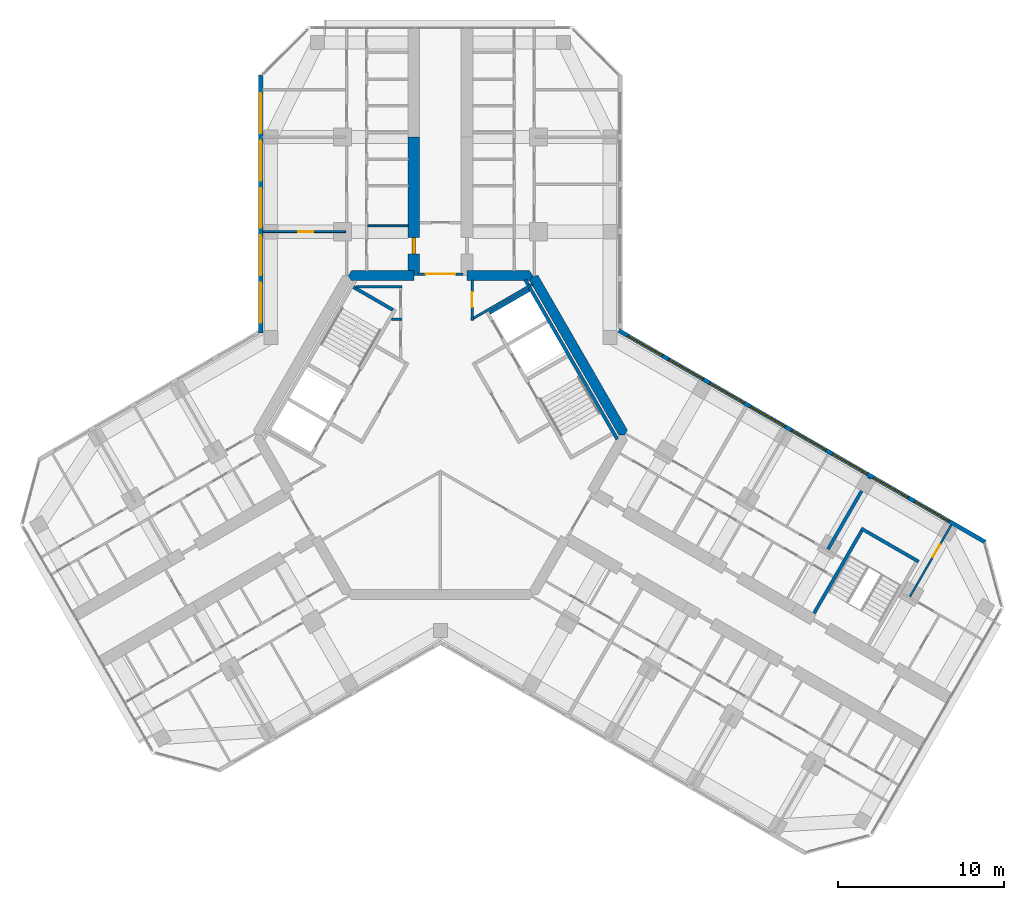
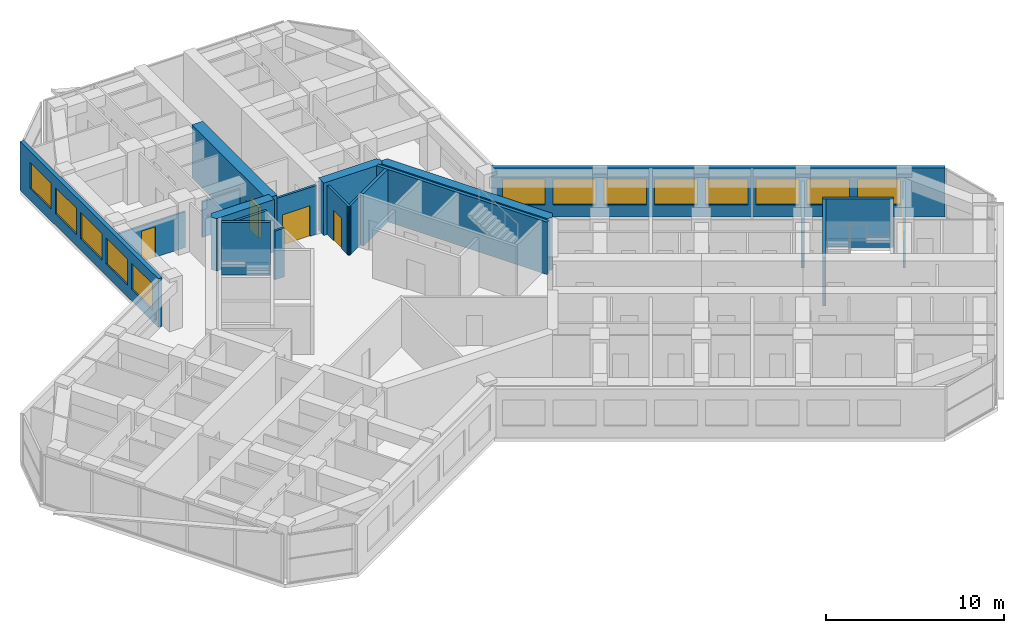
# One storey, part 13 of 16: 20 walls, 13 windows, 5 doors, 18 openings.
"""IFC4 building model written with IfcOpenShell, lengths in metres."""

from ifc_helpers import new_model, si_unit, direction, frame, frame_2d, origin, place, context, subcontext, project, spatial, polyline, rectangle, outline, extrude, material, layer, layer_set, type_object, element, fill, save


model = new_model("IFC4")

# Units and contexts
model_context = context("Model", 3, precision=1e-05, world=origin(), true_north=direction((0.0, 1.0)))
body_context = subcontext(model_context, "Body", "Model", "MODEL_VIEW")
ifc_project = project(units=[si_unit("LENGTHUNIT", "METRE"), si_unit("AREAUNIT", "SQUARE_METRE"), si_unit("VOLUMEUNIT", "CUBIC_METRE"), si_unit("PLANEANGLEUNIT", "RADIAN"), si_unit("MASSUNIT", "GRAM", prefix="KILO")], contexts=[model_context])

# Site, building, storey
site_placement = place(None, origin())
site = spatial("IfcSite", under=ifc_project, at=site_placement, CompositionType="ELEMENT")
building_placement = place(site_placement, origin())
building = spatial("IfcBuilding", under=site, at=building_placement, Name="Kosmar Iwan School Tower", CompositionType="ELEMENT")
storey_placement = place(building_placement, frame((0.0, 0.0, 253.199951171875)))
storey = spatial("IfcBuildingStorey", under=building, at=storey_placement, Name="L64", CompositionType="ELEMENT", Elevation=253.199951171875)

# Walls
ifc_material_1 = material(Name="Gypsum board on steel studs, fire-rated", Category="steel")
ifc_layer_1 = layer(ifc_material_1, 0.14990234375)
ifc_layer_set_1 = layer_set([ifc_layer_1], Name="Core room partition 150")
wall_type_1 = type_object("IfcWallType", Name="Core room partition 150", PredefinedType="PARTITIONING", material=ifc_layer_set_1)
wall_1_placement = place(storey_placement, frame((-2.324951171875, 6.985107421875, 0.0), z_axis=(0.0, 0.0, 1.0), x_axis=(-1.0, 0.0, 0.0)))
element("IfcWall", 1, at=wall_1_placement, inside=storey, type_object=wall_type_1, Name="Core room partition L64-CW2", PredefinedType="PARTITIONING", context=body_context, shape_type="SweptSolid", body=[
    extrude(rectangle(XDim=0.623779296875, YDim=0.14990234375, at=frame_2d((0.31201171875, 0.0))), origin(), (0.0, 0.0, 1.0), 3.35009765625),
])
wall_2_placement = place(storey_placement, frame((-5.089599609375, 8.93994140625, 0.0), z_axis=(0.0, 0.0, 1.0), x_axis=(1.0, 0.0, 0.0)))
element("IfcWall", 2, at=wall_2_placement, inside=storey, type_object=wall_type_1, Name="Core room partition L64-CW3", PredefinedType="PARTITIONING", context=body_context, shape_type="SweptSolid", body=[
    extrude(rectangle(XDim=2.7646484375, YDim=0.14990234375, at=frame_2d((1.38232421875, 0.0))), origin(), (0.0, 0.0, 1.0), 3.35009765625),
])
wall_3_placement = place(storey_placement, frame((5.54296875, 9.089111328125, 0.0), z_axis=(0.0, 0.0, 1.0), x_axis=(-0.866045054481, -0.49996596245, 0.0)))
element("IfcWall", 3, at=wall_3_placement, inside=storey, type_object=wall_type_1, Name="Core room partition L64-CW8", PredefinedType="PARTITIONING", context=body_context, shape_type="SweptSolid", body=[
    extrude(rectangle(XDim=4.281494140625, YDim=0.14990234375, at=frame_2d((2.140625, 0.0))), origin(), (0.0, 0.0, 1.0), 3.35009765625),
])

# Wall, opening, door
wall_4_placement = place(storey_placement, frame((1.89990234375, 6.910888671875, 0.0), z_axis=(0.0, 0.0, 1.0), x_axis=(0.0, 1.0, 0.0)))
wall_4 = element("IfcWall", 4, at=wall_4_placement, inside=storey, type_object=wall_type_1, Name="Core room partition L64-CW9", PredefinedType="PARTITIONING", context=body_context, shape_type="SweptSolid", body=[
    extrude(rectangle(XDim=2.43408203125, YDim=0.14990234375, at=frame_2d((1.217041015625, 0.0))), origin(), (0.0, 0.0, 1.0), 3.35009765625),
])
opening_1_placement = place(wall_4_placement, frame((0.802001953125, 0.0, 0.0)))
opening_1 = element("IfcOpeningElement", 5, at=opening_1_placement, cuts=wall_4, Name="Opening D14", PredefinedType="OPENING", context=body_context, shape_type="SweptSolid", body=[
    extrude(rectangle(XDim=0.89990234375, YDim=2.10009765625, at=frame_2d((0.449951171875, 1.050048828125))), frame((0.0, 0.0869140625, 0.0), z_axis=(0.0, -1.0, 0.0), x_axis=(1.0, 0.0, 0.0)), (0.0, 0.0, 1.0), 0.173828125),
])
ifc_material_2 = material(Name="Timber fire door in steel frame", Category="steel")
door_type_1 = type_object("IfcDoorType", Name="Core room door 900x2100", OperationType="SINGLE_SWING_LEFT", PredefinedType="DOOR", material=ifc_material_2)
door_1_placement = place(opening_1_placement, origin())
door_1 = element("IfcDoor", 6, at=door_1_placement, inside=storey, type_object=door_type_1, Name="Water meter room door L64 5", OperationType="SINGLE_SWING_RIGHT", OverallHeight=2.10009765625, OverallWidth=0.89990234375, PredefinedType="DOOR", context=body_context, shape_type="SweptSolid", body=[
    extrude(rectangle(XDim=0.89990234375, YDim=2.10009765625, at=frame_2d((0.449951171875, 1.050048828125))), frame((0.0, 0.02490234375, 0.0), z_axis=(0.0, -1.0, 0.0), x_axis=(1.0, 0.0, 0.0)), (0.0, 0.0, 1.0), 0.050048828125),
])
fill(opening_1, door_1)

# Walls
ifc_material_3 = material(Name="Concrete C50/60", Category="concrete")
ifc_layer_2 = layer(ifc_material_3, 0.60009765625)
ifc_layer_set_2 = layer_set([ifc_layer_2], Name="Core wall 600")
wall_type_2 = type_object("IfcWallType", Name="Core wall 600", PredefinedType="SHEAR", material=ifc_layer_set_2)
wall_5_placement = place(storey_placement, origin())
element("IfcWall", 7, at=wall_5_placement, inside=storey, type_object=wall_type_2, Name="Core wall F030", PredefinedType="SHEAR", context=body_context, shape_type="SweptSolid", body=[
    extrude(outline(polyline([(10.73876953125, 0.0), (11.085205078125, 0.0), (11.25830078125, 0.300048828125), (5.888916015625, 9.60009765625), (5.54248046875, 9.60009765625), (5.369384765625, 9.300048828125), (10.73876953125, 0.0)])), origin(), (0.0, 0.0, 1.0), 3.60009765625),
])
wall_6_placement = place(storey_placement, origin())
element("IfcWall", 8, at=wall_6_placement, inside=storey, type_object=wall_type_2, Name="Core wall F090a", PredefinedType="SHEAR", context=body_context, shape_type="SweptSolid", body=[
    extrude(outline(polyline([(1.60009765625, 9.300048828125), (5.369384765625, 9.300048828125), (5.54248046875, 9.60009765625), (5.369384765625, 9.89990234375), (1.60009765625, 9.89990234375), (1.60009765625, 9.300048828125)])), origin(), (0.0, 0.0, 1.0), 3.60009765625),
])
wall_7_placement = place(storey_placement, origin())
element("IfcWall", 9, at=wall_7_placement, inside=storey, type_object=wall_type_2, Name="Core wall F090b", PredefinedType="SHEAR", context=body_context, shape_type="SweptSolid", body=[
    extrude(outline(polyline([(-5.369384765625, 9.300048828125), (-1.60009765625, 9.300048828125), (-1.60009765625, 9.89990234375), (-5.369384765625, 9.89990234375), (-5.54248046875, 9.60009765625), (-5.369384765625, 9.300048828125)])), origin(), (0.0, 0.0, 1.0), 3.60009765625),
])

# Wall, opening, door
ifc_material_4 = material(Name="Concrete C50/60", Category="concrete")
ifc_layer_3 = layer(ifc_material_4, 0.699951171875)
ifc_layer_set_3 = layer_set([ifc_layer_3], Name="Corridor buttress wall 700")
wall_type_3 = type_object("IfcWallType", Name="Corridor buttress wall 700", PredefinedType="SHEAR", material=ifc_layer_set_3)
wall_8_placement = place(storey_placement, frame((-1.60009765625, 9.60009765625, 0.0), z_axis=(0.0, 0.0, 1.0), x_axis=(0.0, 1.0, 0.0)))
wall_8 = element("IfcWall", 10, at=wall_8_placement, inside=storey, type_object=wall_type_3, Name="Corridor wall AL", PredefinedType="SHEAR", context=body_context, shape_type="SweptSolid", body=[
    extrude(rectangle(XDim=8.349853515625, YDim=0.699951171875, at=frame_2d((4.1748046875, 0.0))), origin(), (0.0, 0.0, 1.0), 3.60009765625),
])
opening_2_placement = place(wall_8_placement, frame((1.300048828125, 0.0, 0.0)))
opening_2 = element("IfcOpeningElement", 11, at=opening_2_placement, cuts=wall_8, Name="Opening D1", PredefinedType="OPENING", context=body_context, shape_type="SweptSolid", body=[
    extrude(rectangle(XDim=1.0, YDim=2.10009765625, at=frame_2d((0.5, 1.050048828125))), frame((0.0, 0.362060546875, 0.0), z_axis=(0.0, -1.0, 0.0), x_axis=(1.0, 0.0, 0.0)), (0.0, 0.0, 1.0), 0.723876953125),
])
ifc_material_5 = material(Name="Timber fire door in steel frame", Category="steel")
door_type_2 = type_object("IfcDoorType", Name="Flat entrance door 1000x2100", OperationType="SINGLE_SWING_LEFT", PredefinedType="DOOR", material=ifc_material_5)
door_2_placement = place(opening_2_placement, origin())
door_2 = element("IfcDoor", 12, at=door_2_placement, inside=storey, type_object=door_type_2, Name="Flat L64-AL1 entrance door", OperationType="SINGLE_SWING_RIGHT", OverallHeight=2.10009765625, OverallWidth=1.0, PredefinedType="DOOR", context=body_context, shape_type="SweptSolid", body=[
    extrude(rectangle(XDim=1.0, YDim=2.10009765625, at=frame_2d((0.5, 1.050048828125))), frame((0.0, 0.10009765625, 0.0), z_axis=(0.0, -1.0, 0.0), x_axis=(1.0, 0.0, 0.0)), (0.0, 0.0, 1.0), 0.199951171875),
])
fill(opening_2, door_2)

ifc_material_6 = material(Name="Steel framed glazed screen", Category="steel")
ifc_layer_4 = layer(ifc_material_6, 0.14990234375)
ifc_layer_set_4 = layer_set([ifc_layer_4], Name="Corridor screen wall 150")
wall_type_4 = type_object("IfcWallType", Name="Corridor screen wall 150", PredefinedType="PARTITIONING", material=ifc_layer_set_4)
wall_9_placement = place(storey_placement, frame((1.35009765625, 9.699951171875, 0.0), z_axis=(0.0, 0.0, 1.0), x_axis=(-1.0, 0.0, 0.0)))
wall_9 = element("IfcWall", 13, at=wall_9_placement, inside=storey, type_object=wall_type_4, Name="Corridor screen A L64", PredefinedType="PARTITIONING", context=body_context, shape_type="SweptSolid", body=[
    extrude(rectangle(XDim=2.7001953125, YDim=0.14990234375, at=frame_2d((1.35009765625, 0.0))), origin(), (0.0, 0.0, 1.0), 3.35009765625),
])
opening_3_placement = place(wall_9_placement, frame((0.449951171875, 0.0, 0.0)))
opening_3 = element("IfcOpeningElement", 14, at=opening_3_placement, cuts=wall_9, Name="Opening D9", PredefinedType="OPENING", context=body_context, shape_type="SweptSolid", body=[
    extrude(rectangle(XDim=1.800048828125, YDim=2.10009765625, at=frame_2d((0.89990234375, 1.050048828125))), frame((0.0, 0.0869140625, 0.0), z_axis=(0.0, -1.0, 0.0), x_axis=(1.0, 0.0, 0.0)), (0.0, 0.0, 1.0), 0.173828125),
])
ifc_material_7 = material(Name="Steel framed glazed smoke door", Category="steel")
door_type_3 = type_object("IfcDoorType", Name="Corridor smoke door pair 1800x2100", OperationType="DOUBLE_DOOR_DOUBLE_SWING", PredefinedType="DOOR", material=ifc_material_7)
door_3_placement = place(opening_3_placement, origin())
door_3 = element("IfcDoor", 15, at=door_3_placement, inside=storey, type_object=door_type_3, Name="Corridor doors A L64", OperationType="DOUBLE_DOOR_DOUBLE_SWING", OverallHeight=2.10009765625, OverallWidth=1.800048828125, PredefinedType="DOOR", context=body_context, shape_type="SweptSolid", body=[
    extrude(rectangle(XDim=1.800048828125, YDim=2.10009765625, at=frame_2d((0.89990234375, 1.050048828125))), frame((0.0, 0.02490234375, 0.0), z_axis=(0.0, -1.0, 0.0), x_axis=(1.0, 0.0, 0.0)), (0.0, 0.0, 1.0), 0.050048828125),
])
fill(opening_3, door_3)

ifc_material_8 = material(Name="Gypsum board on steel studs", Category="steel")
ifc_layer_5 = layer(ifc_material_8, 0.1201171875)
ifc_layer_set_5 = layer_set([ifc_layer_5], Name="Dwelling partition 120")
wall_type_5 = type_object("IfcWallType", Name="Dwelling partition 120", PredefinedType="PARTITIONING", material=ifc_layer_set_5)
wall_10_placement = place(storey_placement, frame((-5.7099609375, 12.25, 0.0), z_axis=(0.0, 0.0, 1.0), x_axis=(-1.0, 0.0, 0.0)))
wall_10 = element("IfcWall", 16, at=wall_10_placement, inside=storey, type_object=wall_type_5, Name="Partition L64-AL1-X1", PredefinedType="PARTITIONING", context=body_context, shape_type="SweptSolid", body=[
    extrude(rectangle(XDim=4.989990234375, YDim=0.1201171875, at=frame_2d((2.4951171875, 0.0))), origin(), (0.0, 0.0, 1.0), 2.449951171875),
])
opening_4_placement = place(wall_10_placement, frame((1.93994140625, 0.0, 0.0)))
opening_4 = element("IfcOpeningElement", 17, at=opening_4_placement, cuts=wall_10, Name="Opening D2", PredefinedType="OPENING", context=body_context, shape_type="SweptSolid", body=[
    extrude(rectangle(XDim=0.89990234375, YDim=2.10009765625, at=frame_2d((0.449951171875, 1.050048828125))), frame((0.0, 0.072021484375, 0.0), z_axis=(0.0, -1.0, 0.0), x_axis=(1.0, 0.0, 0.0)), (0.0, 0.0, 1.0), 0.14404296875),
])
ifc_material_9 = material(Name="Timber door in timber frame", Category="wood")
door_type_4 = type_object("IfcDoorType", Name="Internal door 900x2100", OperationType="SINGLE_SWING_LEFT", PredefinedType="DOOR", material=ifc_material_9)
door_4_placement = place(opening_4_placement, origin())
door_4 = element("IfcDoor", 18, at=door_4_placement, inside=storey, type_object=door_type_4, Name="Kitchen and dining room door L64-AL1-F1", OperationType="SINGLE_SWING_LEFT", OverallHeight=2.10009765625, OverallWidth=0.89990234375, PredefinedType="DOOR", context=body_context, shape_type="SweptSolid", body=[
    extrude(rectangle(XDim=0.89990234375, YDim=2.10009765625, at=frame_2d((0.449951171875, 1.050048828125))), frame((0.0, 0.02490234375, 0.0), z_axis=(0.0, -1.0, 0.0), x_axis=(1.0, 0.0, 0.0)), (0.0, 0.0, 1.0), 0.050048828125),
])
fill(opening_4, door_4)

# Wall
wall_11_placement = place(storey_placement, frame((-1.949951171875, 12.60009765625, 0.0), z_axis=(0.0, 0.0, 1.0), x_axis=(-1.0, 0.0, 0.0)))
element("IfcWall", 19, at=wall_11_placement, inside=storey, type_object=wall_type_5, Name="Partition L64-AL1-Y1", PredefinedType="PARTITIONING", context=body_context, shape_type="SweptSolid", body=[
    extrude(rectangle(XDim=2.43994140625, YDim=0.1201171875, at=frame_2d((1.219970703125, 0.0))), origin(), (0.0, 0.0, 1.0), 2.449951171875),
])

# Wall, opening, door
wall_12_placement = place(storey_placement, frame((28.27294921875, -9.72998046875, 0.0), z_axis=(0.0, 0.0, 1.0), x_axis=(0.499975153383, 0.86603974851, 0.0)))
wall_12 = element("IfcWall", 20, at=wall_12_placement, inside=storey, type_object=wall_type_5, Name="Partition L64-CL3-TX", PredefinedType="PARTITIONING", context=body_context, shape_type="SweptSolid", body=[
    extrude(rectangle(XDim=4.989990234375, YDim=0.1201171875, at=frame_2d((2.4951171875, 0.0))), origin(), (0.0, 0.0, 1.0), 2.449951171875),
])
opening_5_placement = place(wall_12_placement, frame((2.739990234375, 0.0, 0.0)))
opening_5 = element("IfcOpeningElement", 21, at=opening_5_placement, cuts=wall_12, Name="Opening D2", PredefinedType="OPENING", context=body_context, shape_type="SweptSolid", body=[
    extrude(rectangle(XDim=0.89990234375, YDim=2.10009765625, at=frame_2d((0.449951171875, 1.050048828125))), frame((0.0, 0.072021484375, 0.0), z_axis=(0.0, -1.0, 0.0), x_axis=(1.0, 0.0, 0.0)), (0.0, 0.0, 1.0), 0.14404296875),
])
door_5_placement = place(opening_5_placement, origin())
door_5 = element("IfcDoor", 22, at=door_5_placement, inside=storey, type_object=door_type_4, Name="Bedroom 1 door L64-CL3-T1", OperationType="SINGLE_SWING_RIGHT", OverallHeight=2.10009765625, OverallWidth=0.89990234375, PredefinedType="DOOR", context=body_context, shape_type="SweptSolid", body=[
    extrude(rectangle(XDim=0.89990234375, YDim=2.10009765625, at=frame_2d((0.449951171875, 1.050048828125))), frame((0.0, 0.02490234375, 0.0), z_axis=(0.0, -1.0, 0.0), x_axis=(1.0, 0.0, 0.0)), (0.0, 0.0, 1.0), 0.050048828125),
])
fill(opening_5, door_5)

# Walls
ifc_material_10 = material(Name="Concrete C35/45", Category="concrete")
ifc_layer_6 = layer(ifc_material_10, 0.199951171875)
ifc_layer_set_6 = layer_set([ifc_layer_6], Name="Escape stair wall 200")
wall_type_6 = type_object("IfcWallType", Name="Escape stair wall 200", PredefinedType="SHEAR", material=ifc_layer_set_6)
wall_13_placement = place(storey_placement, frame((22.49560546875, -10.736328125, 0.0), z_axis=(0.0, 0.0, 1.0), x_axis=(0.500013701029, 0.866017493347, 0.0)))
element("IfcWall", 23, at=wall_13_placement, inside=storey, type_object=wall_type_6, Name="Stair WS3 wall", PredefinedType="SHEAR", context=body_context, shape_type="SweptSolid", body=[
    extrude(rectangle(XDim=5.949951171875, YDim=0.199951171875, at=frame_2d((2.97509765625, 0.0))), origin(), (0.0, 0.0, 1.0), 3.330078125),
])
wall_14_placement = place(storey_placement, frame((25.334228515625, -5.6201171875, 0.0), z_axis=(0.0, 0.0, 1.0), x_axis=(0.866026010844, -0.49999894854, 0.0)))
element("IfcWall", 24, at=wall_14_placement, inside=storey, type_object=wall_type_6, Name="Stair WS3 wall", PredefinedType="SHEAR", context=body_context, shape_type="SweptSolid", body=[
    extrude(rectangle(XDim=4.0, YDim=0.199951171875, at=frame_2d((2.0, 0.0))), origin(), (0.0, 0.0, 1.0), 3.330078125),
])

# Wall, openings, windows
ifc_material_11 = material(Name="Black aluminium rainscreen on insulated framing", Category="aluminium")
ifc_layer_7 = layer(ifc_material_11, 0.25)
ifc_layer_set_7 = layer_set([ifc_layer_7], Name="External wall rainscreen 250")
wall_type_7 = type_object("IfcWallType", Name="External wall rainscreen 250", PredefinedType="SOLIDWALL", material=ifc_layer_set_7)
wall_15_placement = place(storey_placement, frame((10.73681640625, 6.30078125, 0.0), z_axis=(0.0, 0.0, 1.0), x_axis=(0.866026390279, -0.499998291337, 0.0)))
wall_15 = element("IfcWall", 25, at=wall_15_placement, inside=storey, type_object=wall_type_7, Name="External wall CL L64", PredefinedType="SOLIDWALL", context=body_context, shape_type="SweptSolid", body=[
    extrude(rectangle(XDim=25.4873046875, YDim=0.25, at=frame_2d((12.74365234375, 0.0))), origin(), (0.0, 0.0, 1.0), 3.35009765625),
])
opening_6_placement = place(wall_15_placement, frame((0.626953125, 0.0, 0.800048828125)))
opening_6 = element("IfcOpeningElement", 26, at=opening_6_placement, cuts=wall_15, Name="Opening W5", PredefinedType="OPENING", context=body_context, shape_type="SweptSolid", body=[
    extrude(rectangle(XDim=2.39990234375, YDim=1.800048828125, at=frame_2d((1.199951171875, 0.89990234375))), frame((0.0, 0.136962890625, 0.0), z_axis=(0.0, -1.0, 0.0), x_axis=(1.0, 0.0, 0.0)), (0.0, 0.0, 1.0), 0.27392578125),
])
opening_7_placement = place(wall_15_placement, frame((3.47705078125, 0.0, 0.800048828125)))
opening_7 = element("IfcOpeningElement", 27, at=opening_7_placement, cuts=wall_15, Name="Opening W5", PredefinedType="OPENING", context=body_context, shape_type="SweptSolid", body=[
    extrude(rectangle(XDim=2.39990234375, YDim=1.800048828125, at=frame_2d((1.199951171875, 0.89990234375))), frame((0.0, 0.136962890625, 0.0), z_axis=(0.0, -1.0, 0.0), x_axis=(1.0, 0.0, 0.0)), (0.0, 0.0, 1.0), 0.27392578125),
])
opening_8_placement = place(wall_15_placement, frame((6.326904296875, 0.0, 0.800048828125)))
opening_8 = element("IfcOpeningElement", 28, at=opening_8_placement, cuts=wall_15, Name="Opening W5", PredefinedType="OPENING", context=body_context, shape_type="SweptSolid", body=[
    extrude(rectangle(XDim=2.39990234375, YDim=1.800048828125, at=frame_2d((1.199951171875, 0.89990234375))), frame((0.0, 0.136962890625, 0.0), z_axis=(0.0, -1.0, 0.0), x_axis=(1.0, 0.0, 0.0)), (0.0, 0.0, 1.0), 0.27392578125),
])
opening_9_placement = place(wall_15_placement, frame((9.177001953125, 0.0, 0.800048828125)))
opening_9 = element("IfcOpeningElement", 29, at=opening_9_placement, cuts=wall_15, Name="Opening W5", PredefinedType="OPENING", context=body_context, shape_type="SweptSolid", body=[
    extrude(rectangle(XDim=2.39990234375, YDim=1.800048828125, at=frame_2d((1.199951171875, 0.89990234375))), frame((0.0, 0.136962890625, 0.0), z_axis=(0.0, -1.0, 0.0), x_axis=(1.0, 0.0, 0.0)), (0.0, 0.0, 1.0), 0.27392578125),
])
opening_10_placement = place(wall_15_placement, frame((12.027099609375, 0.0, 0.800048828125)))
opening_10 = element("IfcOpeningElement", 30, at=opening_10_placement, cuts=wall_15, Name="Opening W5", PredefinedType="OPENING", context=body_context, shape_type="SweptSolid", body=[
    extrude(rectangle(XDim=2.39990234375, YDim=1.800048828125, at=frame_2d((1.199951171875, 0.89990234375))), frame((0.0, 0.136962890625, 0.0), z_axis=(0.0, -1.0, 0.0), x_axis=(1.0, 0.0, 0.0)), (0.0, 0.0, 1.0), 0.27392578125),
])
opening_11_placement = place(wall_15_placement, frame((14.876953125, 0.0, 0.800048828125)))
opening_11 = element("IfcOpeningElement", 31, at=opening_11_placement, cuts=wall_15, Name="Opening W5", PredefinedType="OPENING", context=body_context, shape_type="SweptSolid", body=[
    extrude(rectangle(XDim=2.39990234375, YDim=1.800048828125, at=frame_2d((1.199951171875, 0.89990234375))), frame((0.0, 0.136962890625, 0.0), z_axis=(0.0, -1.0, 0.0), x_axis=(1.0, 0.0, 0.0)), (0.0, 0.0, 1.0), 0.27392578125),
])
opening_12_placement = place(wall_15_placement, frame((17.72705078125, 0.0, 0.800048828125)))
opening_12 = element("IfcOpeningElement", 32, at=opening_12_placement, cuts=wall_15, Name="Opening W5", PredefinedType="OPENING", context=body_context, shape_type="SweptSolid", body=[
    extrude(rectangle(XDim=2.39990234375, YDim=1.800048828125, at=frame_2d((1.199951171875, 0.89990234375))), frame((0.0, 0.136962890625, 0.0), z_axis=(0.0, -1.0, 0.0), x_axis=(1.0, 0.0, 0.0)), (0.0, 0.0, 1.0), 0.27392578125),
])
opening_13_placement = place(wall_15_placement, frame((20.576904296875, 0.0, 0.800048828125)))
opening_13 = element("IfcOpeningElement", 33, at=opening_13_placement, cuts=wall_15, Name="Opening W5", PredefinedType="OPENING", context=body_context, shape_type="SweptSolid", body=[
    extrude(rectangle(XDim=2.39990234375, YDim=1.800048828125, at=frame_2d((1.199951171875, 0.89990234375))), frame((0.0, 0.136962890625, 0.0), z_axis=(0.0, -1.0, 0.0), x_axis=(1.0, 0.0, 0.0)), (0.0, 0.0, 1.0), 0.27392578125),
])
ifc_material_12 = material(Name="Black aluminium frame with dark triple glazing", Category="aluminium")
window_type = type_object("IfcWindowType", Name="Window 2400x1800", PartitioningType="SINGLE_PANEL", PredefinedType="WINDOW", material=ifc_material_12)
window_1_placement = place(opening_6_placement, origin())
window_1 = element("IfcWindow", 34, at=window_1_placement, inside=storey, type_object=window_type, Name="Window CL L64 -1", OverallHeight=1.800048828125, OverallWidth=2.39990234375, PartitioningType="SINGLE_PANEL", PredefinedType="WINDOW", context=body_context, shape_type="SweptSolid", body=[
    extrude(rectangle(XDim=2.39990234375, YDim=1.800048828125, at=frame_2d((1.199951171875, 0.89990234375))), frame((0.0, 0.030029296875, 0.0), z_axis=(0.0, -1.0, 0.0), x_axis=(1.0, 0.0, 0.0)), (0.0, 0.0, 1.0), 0.06005859375),
])
fill(opening_6, window_1)
window_2_placement = place(opening_7_placement, origin())
window_2 = element("IfcWindow", 35, at=window_2_placement, inside=storey, type_object=window_type, Name="Window CL L64 0", OverallHeight=1.800048828125, OverallWidth=2.39990234375, PartitioningType="SINGLE_PANEL", PredefinedType="WINDOW", context=body_context, shape_type="SweptSolid", body=[
    extrude(rectangle(XDim=2.39990234375, YDim=1.800048828125, at=frame_2d((1.199951171875, 0.89990234375))), frame((0.0, 0.030029296875, 0.0), z_axis=(0.0, -1.0, 0.0), x_axis=(1.0, 0.0, 0.0)), (0.0, 0.0, 1.0), 0.06005859375),
])
fill(opening_7, window_2)
window_3_placement = place(opening_8_placement, origin())
window_3 = element("IfcWindow", 36, at=window_3_placement, inside=storey, type_object=window_type, Name="Window CL L64 1", OverallHeight=1.800048828125, OverallWidth=2.39990234375, PartitioningType="SINGLE_PANEL", PredefinedType="WINDOW", context=body_context, shape_type="SweptSolid", body=[
    extrude(rectangle(XDim=2.39990234375, YDim=1.800048828125, at=frame_2d((1.199951171875, 0.89990234375))), frame((0.0, 0.030029296875, 0.0), z_axis=(0.0, -1.0, 0.0), x_axis=(1.0, 0.0, 0.0)), (0.0, 0.0, 1.0), 0.06005859375),
])
fill(opening_8, window_3)
window_4_placement = place(opening_9_placement, origin())
window_4 = element("IfcWindow", 37, at=window_4_placement, inside=storey, type_object=window_type, Name="Window CL L64 2", OverallHeight=1.800048828125, OverallWidth=2.39990234375, PartitioningType="SINGLE_PANEL", PredefinedType="WINDOW", context=body_context, shape_type="SweptSolid", body=[
    extrude(rectangle(XDim=2.39990234375, YDim=1.800048828125, at=frame_2d((1.199951171875, 0.89990234375))), frame((0.0, 0.030029296875, 0.0), z_axis=(0.0, -1.0, 0.0), x_axis=(1.0, 0.0, 0.0)), (0.0, 0.0, 1.0), 0.06005859375),
])
fill(opening_9, window_4)
window_5_placement = place(opening_10_placement, origin())
window_5 = element("IfcWindow", 38, at=window_5_placement, inside=storey, type_object=window_type, Name="Window CL L64 3", OverallHeight=1.800048828125, OverallWidth=2.39990234375, PartitioningType="SINGLE_PANEL", PredefinedType="WINDOW", context=body_context, shape_type="SweptSolid", body=[
    extrude(rectangle(XDim=2.39990234375, YDim=1.800048828125, at=frame_2d((1.199951171875, 0.89990234375))), frame((0.0, 0.030029296875, 0.0), z_axis=(0.0, -1.0, 0.0), x_axis=(1.0, 0.0, 0.0)), (0.0, 0.0, 1.0), 0.06005859375),
])
fill(opening_10, window_5)
window_6_placement = place(opening_11_placement, origin())
window_6 = element("IfcWindow", 39, at=window_6_placement, inside=storey, type_object=window_type, Name="Window CL L64 4", OverallHeight=1.800048828125, OverallWidth=2.39990234375, PartitioningType="SINGLE_PANEL", PredefinedType="WINDOW", context=body_context, shape_type="SweptSolid", body=[
    extrude(rectangle(XDim=2.39990234375, YDim=1.800048828125, at=frame_2d((1.199951171875, 0.89990234375))), frame((0.0, 0.030029296875, 0.0), z_axis=(0.0, -1.0, 0.0), x_axis=(1.0, 0.0, 0.0)), (0.0, 0.0, 1.0), 0.06005859375),
])
fill(opening_11, window_6)
window_7_placement = place(opening_12_placement, origin())
window_7 = element("IfcWindow", 40, at=window_7_placement, inside=storey, type_object=window_type, Name="Window CL L64 5", OverallHeight=1.800048828125, OverallWidth=2.39990234375, PartitioningType="SINGLE_PANEL", PredefinedType="WINDOW", context=body_context, shape_type="SweptSolid", body=[
    extrude(rectangle(XDim=2.39990234375, YDim=1.800048828125, at=frame_2d((1.199951171875, 0.89990234375))), frame((0.0, 0.030029296875, 0.0), z_axis=(0.0, -1.0, 0.0), x_axis=(1.0, 0.0, 0.0)), (0.0, 0.0, 1.0), 0.06005859375),
])
fill(opening_12, window_7)
window_8_placement = place(opening_13_placement, origin())
window_8 = element("IfcWindow", 41, at=window_8_placement, inside=storey, type_object=window_type, Name="Window CL L64 6", OverallHeight=1.800048828125, OverallWidth=2.39990234375, PartitioningType="SINGLE_PANEL", PredefinedType="WINDOW", context=body_context, shape_type="SweptSolid", body=[
    extrude(rectangle(XDim=2.39990234375, YDim=1.800048828125, at=frame_2d((1.199951171875, 0.89990234375))), frame((0.0, 0.030029296875, 0.0), z_axis=(0.0, -1.0, 0.0), x_axis=(1.0, 0.0, 0.0)), (0.0, 0.0, 1.0), 0.06005859375),
])
fill(opening_13, window_8)

wall_16_placement = place(storey_placement, frame((-10.824951171875, 6.14794921875, 0.0), z_axis=(0.0, 0.0, 1.0), x_axis=(0.0, 1.0, 0.0)))
wall_16 = element("IfcWall", 42, at=wall_16_placement, inside=storey, type_object=wall_type_7, Name="External wall AL L64", PredefinedType="SOLIDWALL", context=body_context, shape_type="SweptSolid", body=[
    extrude(rectangle(XDim=15.537353515625, YDim=0.25, at=frame_2d((7.7685546875, 0.0))), origin(), (0.0, 0.0, 1.0), 3.35009765625),
])
opening_14_placement = place(wall_16_placement, frame((0.626953125, 0.0, 0.800048828125)))
opening_14 = element("IfcOpeningElement", 43, at=opening_14_placement, cuts=wall_16, Name="Opening W5", PredefinedType="OPENING", context=body_context, shape_type="SweptSolid", body=[
    extrude(rectangle(XDim=2.39990234375, YDim=1.800048828125, at=frame_2d((1.199951171875, 0.89990234375))), frame((0.0, 0.136962890625, 0.0), z_axis=(0.0, -1.0, 0.0), x_axis=(1.0, 0.0, 0.0)), (0.0, 0.0, 1.0), 0.27392578125),
])
opening_15_placement = place(wall_16_placement, frame((3.47705078125, 0.0, 0.800048828125)))
opening_15 = element("IfcOpeningElement", 44, at=opening_15_placement, cuts=wall_16, Name="Opening W5", PredefinedType="OPENING", context=body_context, shape_type="SweptSolid", body=[
    extrude(rectangle(XDim=2.39990234375, YDim=1.800048828125, at=frame_2d((1.199951171875, 0.89990234375))), frame((0.0, 0.136962890625, 0.0), z_axis=(0.0, -1.0, 0.0), x_axis=(1.0, 0.0, 0.0)), (0.0, 0.0, 1.0), 0.27392578125),
])
opening_16_placement = place(wall_16_placement, frame((6.326904296875, 0.0, 0.800048828125)))
opening_16 = element("IfcOpeningElement", 45, at=opening_16_placement, cuts=wall_16, Name="Opening W5", PredefinedType="OPENING", context=body_context, shape_type="SweptSolid", body=[
    extrude(rectangle(XDim=2.39990234375, YDim=1.800048828125, at=frame_2d((1.199951171875, 0.89990234375))), frame((0.0, 0.136962890625, 0.0), z_axis=(0.0, -1.0, 0.0), x_axis=(1.0, 0.0, 0.0)), (0.0, 0.0, 1.0), 0.27392578125),
])
opening_17_placement = place(wall_16_placement, frame((9.177001953125, 0.0, 0.800048828125)))
opening_17 = element("IfcOpeningElement", 46, at=opening_17_placement, cuts=wall_16, Name="Opening W5", PredefinedType="OPENING", context=body_context, shape_type="SweptSolid", body=[
    extrude(rectangle(XDim=2.39990234375, YDim=1.800048828125, at=frame_2d((1.199951171875, 0.89990234375))), frame((0.0, 0.136962890625, 0.0), z_axis=(0.0, -1.0, 0.0), x_axis=(1.0, 0.0, 0.0)), (0.0, 0.0, 1.0), 0.27392578125),
])
opening_18_placement = place(wall_16_placement, frame((12.027099609375, 0.0, 0.800048828125)))
opening_18 = element("IfcOpeningElement", 47, at=opening_18_placement, cuts=wall_16, Name="Opening W5", PredefinedType="OPENING", context=body_context, shape_type="SweptSolid", body=[
    extrude(rectangle(XDim=2.39990234375, YDim=1.800048828125, at=frame_2d((1.199951171875, 0.89990234375))), frame((0.0, 0.136962890625, 0.0), z_axis=(0.0, -1.0, 0.0), x_axis=(1.0, 0.0, 0.0)), (0.0, 0.0, 1.0), 0.27392578125),
])
window_9_placement = place(opening_14_placement, origin())
window_9 = element("IfcWindow", 48, at=window_9_placement, inside=storey, type_object=window_type, Name="Window AL L64 -1", OverallHeight=1.800048828125, OverallWidth=2.39990234375, PartitioningType="SINGLE_PANEL", PredefinedType="WINDOW", context=body_context, shape_type="SweptSolid", body=[
    extrude(rectangle(XDim=2.39990234375, YDim=1.800048828125, at=frame_2d((1.199951171875, 0.89990234375))), frame((0.0, 0.030029296875, 0.0), z_axis=(0.0, -1.0, 0.0), x_axis=(1.0, 0.0, 0.0)), (0.0, 0.0, 1.0), 0.06005859375),
])
fill(opening_14, window_9)
window_10_placement = place(opening_15_placement, origin())
window_10 = element("IfcWindow", 49, at=window_10_placement, inside=storey, type_object=window_type, Name="Window AL L64 0", OverallHeight=1.800048828125, OverallWidth=2.39990234375, PartitioningType="SINGLE_PANEL", PredefinedType="WINDOW", context=body_context, shape_type="SweptSolid", body=[
    extrude(rectangle(XDim=2.39990234375, YDim=1.800048828125, at=frame_2d((1.199951171875, 0.89990234375))), frame((0.0, 0.030029296875, 0.0), z_axis=(0.0, -1.0, 0.0), x_axis=(1.0, 0.0, 0.0)), (0.0, 0.0, 1.0), 0.06005859375),
])
fill(opening_15, window_10)
window_11_placement = place(opening_16_placement, origin())
window_11 = element("IfcWindow", 50, at=window_11_placement, inside=storey, type_object=window_type, Name="Window AL L64 1", OverallHeight=1.800048828125, OverallWidth=2.39990234375, PartitioningType="SINGLE_PANEL", PredefinedType="WINDOW", context=body_context, shape_type="SweptSolid", body=[
    extrude(rectangle(XDim=2.39990234375, YDim=1.800048828125, at=frame_2d((1.199951171875, 0.89990234375))), frame((0.0, 0.030029296875, 0.0), z_axis=(0.0, -1.0, 0.0), x_axis=(1.0, 0.0, 0.0)), (0.0, 0.0, 1.0), 0.06005859375),
])
fill(opening_16, window_11)
window_12_placement = place(opening_17_placement, origin())
window_12 = element("IfcWindow", 51, at=window_12_placement, inside=storey, type_object=window_type, Name="Window AL L64 2", OverallHeight=1.800048828125, OverallWidth=2.39990234375, PartitioningType="SINGLE_PANEL", PredefinedType="WINDOW", context=body_context, shape_type="SweptSolid", body=[
    extrude(rectangle(XDim=2.39990234375, YDim=1.800048828125, at=frame_2d((1.199951171875, 0.89990234375))), frame((0.0, 0.030029296875, 0.0), z_axis=(0.0, -1.0, 0.0), x_axis=(1.0, 0.0, 0.0)), (0.0, 0.0, 1.0), 0.06005859375),
])
fill(opening_17, window_12)
window_13_placement = place(opening_18_placement, origin())
window_13 = element("IfcWindow", 52, at=window_13_placement, inside=storey, type_object=window_type, Name="Window AL L64 3", OverallHeight=1.800048828125, OverallWidth=2.39990234375, PartitioningType="SINGLE_PANEL", PredefinedType="WINDOW", context=body_context, shape_type="SweptSolid", body=[
    extrude(rectangle(XDim=2.39990234375, YDim=1.800048828125, at=frame_2d((1.199951171875, 0.89990234375))), frame((0.0, 0.030029296875, 0.0), z_axis=(0.0, -1.0, 0.0), x_axis=(1.0, 0.0, 0.0)), (0.0, 0.0, 1.0), 0.06005859375),
])
fill(opening_18, window_13)

# Walls
ifc_material_13 = material(Name="Concrete C50/60", Category="concrete")
ifc_layer_8 = layer(ifc_material_13, 0.199951171875)
ifc_layer_set_8 = layer_set([ifc_layer_8], Name="Lift shaft wall 200")
wall_type_8 = type_object("IfcWallType", Name="Lift shaft wall 200", PredefinedType="SHEAR", material=ifc_layer_set_8)
wall_17_placement = place(storey_placement, frame((10.652099609375, -0.25, 0.0), z_axis=(0.0, 0.0, 1.0), x_axis=(-0.499990629522, 0.866030813765, 0.0)))
element("IfcWall", 53, at=wall_17_placement, inside=storey, type_object=wall_type_8, Name="Lift and stair back wall AC", PredefinedType="SHEAR", context=body_context, shape_type="SweptSolid", body=[
    extrude(rectangle(XDim=11.085205078125, YDim=0.199951171875, at=frame_2d((5.54248046875, 0.0))), origin(), (0.0, 0.0, 1.0), 3.60009765625),
])
wall_18_placement = place(storey_placement, frame((2.962646484375, 7.368408203125, 0.0), z_axis=(0.0, 0.0, 1.0), x_axis=(0.866027397988, 0.499996545922, 0.0)))
element("IfcWall", 54, at=wall_18_placement, inside=storey, type_object=wall_type_8, Name="Lift shaft wall AC 2", PredefinedType="SHEAR", context=body_context, shape_type="SweptSolid", body=[
    extrude(rectangle(XDim=2.75, YDim=0.199951171875, at=frame_2d((1.375, 0.0))), origin(), (0.0, 0.0, 1.0), 3.60009765625),
])
ifc_material_14 = material(Name="Concrete block masonry", Category="masonry")
ifc_layer_9 = layer(ifc_material_14, 0.199951171875)
ifc_layer_set_9 = layer_set([ifc_layer_9], Name="Party wall 200")
wall_type_9 = type_object("IfcWallType", Name="Party wall 200", PredefinedType="PARTITIONING", material=ifc_layer_set_9)
wall_19_placement = place(storey_placement, frame((23.33642578125, -6.8798828125, 0.0), z_axis=(0.0, 0.0, 1.0), x_axis=(0.500033033937, 0.866006330792, 0.0)))
element("IfcWall", 55, at=wall_19_placement, inside=storey, type_object=wall_type_9, Name="Partition L64-CL3-TB", PredefinedType="PARTITIONING", context=body_context, shape_type="SweptSolid", body=[
    extrude(rectangle(XDim=4.989990234375, YDim=0.199951171875, at=frame_2d((2.4951171875, 0.0))), origin(), (0.0, 0.0, 1.0), 2.449951171875),
])
ifc_material_15 = material(Name="Concrete C50/60", Category="concrete")
ifc_layer_10 = layer(ifc_material_15, 0.199951171875)
ifc_layer_set_10 = layer_set([ifc_layer_10], Name="Stair enclosure wall 200")
wall_type_10 = type_object("IfcWallType", Name="Stair enclosure wall 200", PredefinedType="SHEAR", material=ifc_layer_set_10)
wall_20_placement = place(storey_placement, frame((-2.862548828125, 7.541748046875, 0.0), z_axis=(0.0, 0.0, 1.0), x_axis=(-0.866027397988, 0.499996545922, 0.0)))
element("IfcWall", 56, at=wall_20_placement, inside=storey, type_object=wall_type_10, Name="Stair ST2 wall", PredefinedType="SHEAR", context=body_context, shape_type="SweptSolid", body=[
    extrude(rectangle(XDim=2.75, YDim=0.199951171875, at=frame_2d((1.375, 0.0))), origin(), (0.0, 0.0, 1.0), 3.60009765625),
])

save(model, "model.ifc")
